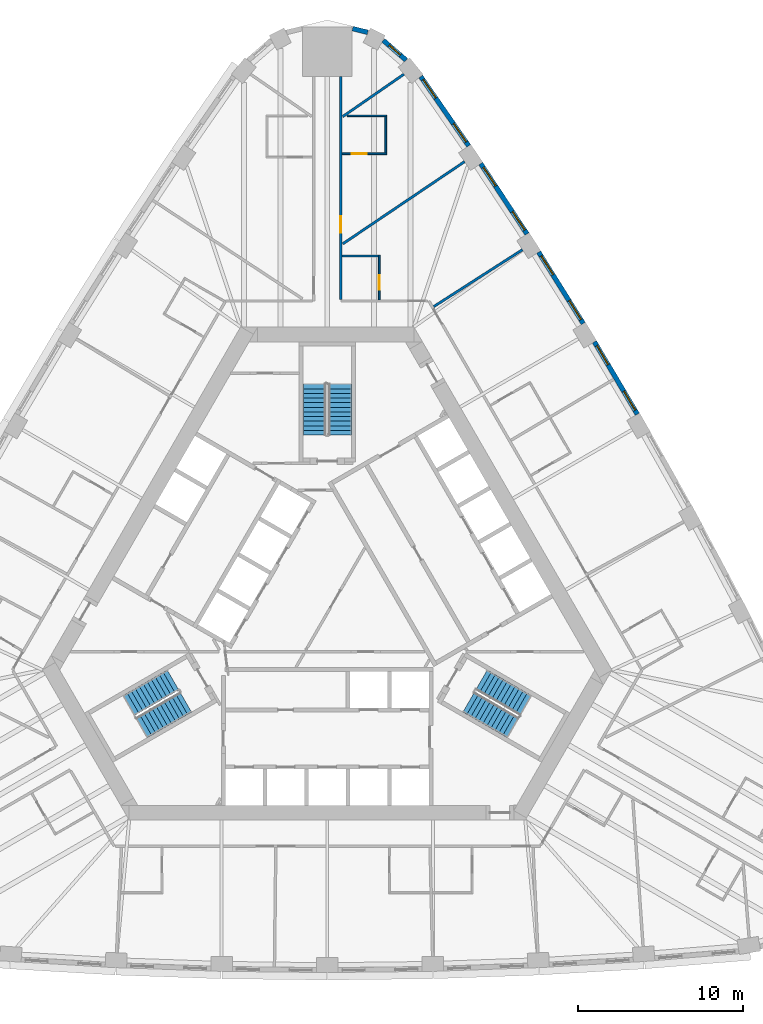
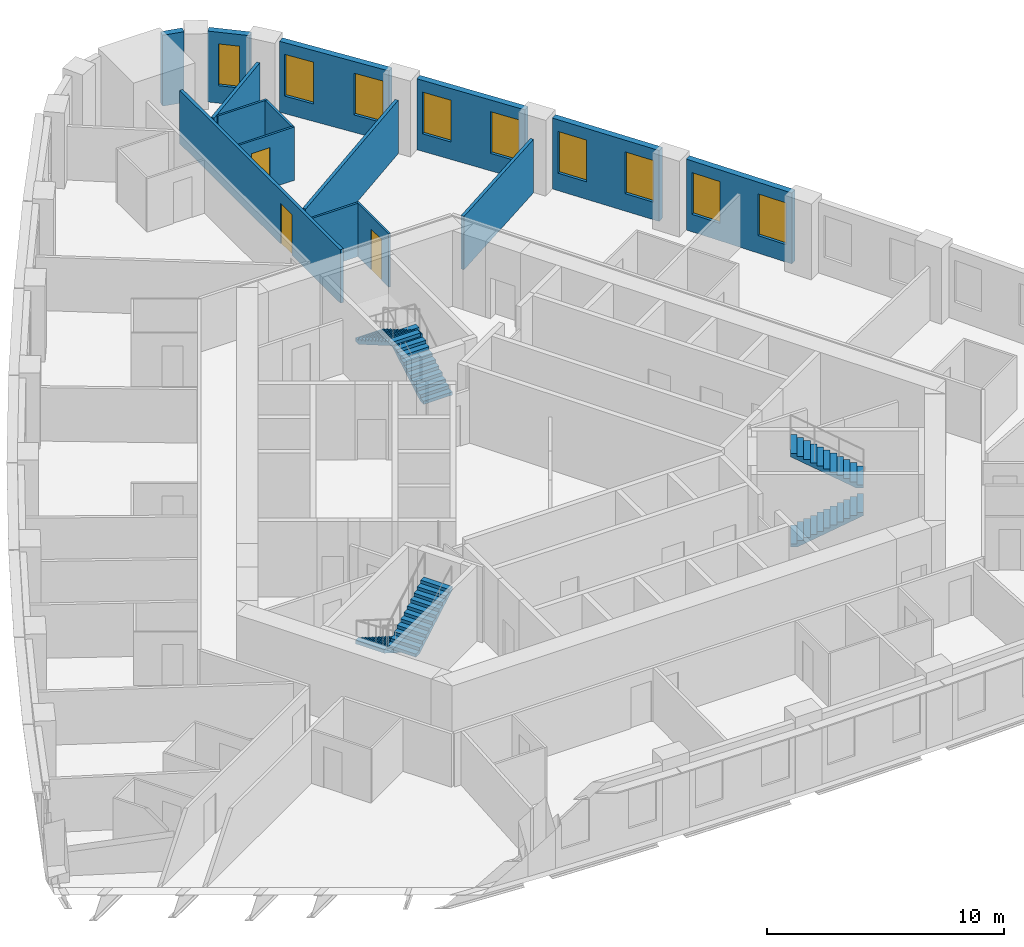
# One storey, part 11 of 12: 15 walls, 9 windows, 6 stair flights, 3 doors, 12 openings, 3 elements without a shape of their own.
"""IFC4 building model written with IfcOpenShell, lengths in metres."""

from ifc_helpers import new_model, si_unit, direction, frame, frame_2d, origin, place, context, subcontext, project, spatial, polyline, rectangle, outline, extrude, material, layer, layer_set, type_object, element, fill, aggregate, save


model = new_model("IFC4")

# Units and contexts
model_context = context("Model", 3, precision=1e-05, world=origin(), true_north=direction((0.0, 1.0)))
body_context = subcontext(model_context, "Body", "Model", "MODEL_VIEW")
ifc_project = project(units=[si_unit("LENGTHUNIT", "METRE"), si_unit("AREAUNIT", "SQUARE_METRE"), si_unit("VOLUMEUNIT", "CUBIC_METRE"), si_unit("PLANEANGLEUNIT", "RADIAN"), si_unit("MASSUNIT", "GRAM", prefix="KILO")], contexts=[model_context])

# Site, building, storey
site_placement = place(None, origin())
site = spatial("IfcSite", under=ifc_project, at=site_placement, CompositionType="ELEMENT")
building_placement = place(site_placement, origin())
building = spatial("IfcBuilding", under=site, at=building_placement, Name="Mestral Congress Tower", CompositionType="ELEMENT")
storey_placement = place(building_placement, frame((0.0, 0.0, 126.60009765625)))
storey = spatial("IfcBuildingStorey", under=building, at=storey_placement, Name="L30", CompositionType="ELEMENT", Elevation=126.60009765625)

# Wall, openings, windows
ifc_material_1 = material(Name="Precast concrete C40/50 with limestone facing", Category="masonry")
ifc_layer_1 = layer(ifc_material_1, 0.2900390625)
ifc_layer_set_1 = layer_set([ifc_layer_1], Name="Precast concrete C40/50 with limestone facing")
wall_type_1 = type_object("IfcWallType", Name="Facade stone wall 290", PredefinedType="SOLIDWALL", material=ifc_layer_set_1)
wall_1_placement = place(storey_placement, frame((18.8046875, 11.611083984375, 0.0), z_axis=(0.0, 0.0, 1.0), x_axis=(-0.510054281659, 0.860142214847, 0.0)))
wall_1 = element("IfcWall", 1, at=wall_1_placement, inside=storey, type_object=wall_type_1, Name="Facade wall F1-04", PredefinedType="SOLIDWALL", context=body_context, shape_type="SweptSolid", body=[
    extrude(rectangle(XDim=5.1005859375, YDim=0.2900390625, at=frame_2d((2.55029296875, 0.0))), origin(), (0.0, 0.0, 1.0), 3.64990234375),
])
opening_1_placement = place(wall_1_placement, frame((0.272705078125, 0.0, 0.89990234375)))
opening_1 = element("IfcOpeningElement", 2, at=opening_1_placement, cuts=wall_1, Name="Opening W2", PredefinedType="OPENING", context=body_context, shape_type="SweptSolid", body=[
    extrude(rectangle(XDim=1.35009765625, YDim=2.14990234375, at=frame_2d((0.675048828125, 1.074951171875))), frame((0.0, 0.155029296875, 0.0), z_axis=(0.0, -1.0, 0.0), x_axis=(1.0, 0.0, 0.0)), (0.0, 0.0, 1.0), 0.31005859375),
])
opening_2_placement = place(wall_1_placement, frame((3.477783203125, 0.0, 0.89990234375)))
opening_2 = element("IfcOpeningElement", 3, at=opening_2_placement, cuts=wall_1, Name="Opening W2", PredefinedType="OPENING", context=body_context, shape_type="SweptSolid", body=[
    extrude(rectangle(XDim=1.35009765625, YDim=2.14990234375, at=frame_2d((0.675048828125, 1.074951171875))), frame((0.0, 0.155029296875, 0.0), z_axis=(0.0, -1.0, 0.0), x_axis=(1.0, 0.0, 0.0)), (0.0, 0.0, 1.0), 0.31005859375),
])
ifc_material_2 = material(Name="Clear low-emissivity double glazing", Category="glass")
window_type_1 = type_object("IfcWindowType", Name="Facade punched window 1350 x 2150 sill 900", PartitioningType="DOUBLE_PANEL_VERTICAL", PredefinedType="WINDOW", material=ifc_material_2)
window_1_placement = place(opening_1_placement, origin())
window_1 = element("IfcWindow", 4, at=window_1_placement, inside=storey, type_object=window_type_1, Name="Window F1-04a", OverallHeight=2.14990234375, OverallWidth=1.35009765625, PartitioningType="DOUBLE_PANEL_VERTICAL", PredefinedType="WINDOW", context=body_context, shape_type="SweptSolid", body=[
    extrude(rectangle(XDim=1.35009765625, YDim=2.14990234375, at=frame_2d((0.675048828125, 1.074951171875))), frame((0.0, 0.01513671875, 0.0), z_axis=(0.0, -1.0, 0.0), x_axis=(1.0, 0.0, 0.0)), (0.0, 0.0, 1.0), 0.06005859375),
])
fill(opening_1, window_1)
window_2_placement = place(opening_2_placement, origin())
window_2 = element("IfcWindow", 5, at=window_2_placement, inside=storey, type_object=window_type_1, Name="Window F1-04b", OverallHeight=2.14990234375, OverallWidth=1.35009765625, PartitioningType="DOUBLE_PANEL_VERTICAL", PredefinedType="WINDOW", context=body_context, shape_type="SweptSolid", body=[
    extrude(rectangle(XDim=1.35009765625, YDim=2.14990234375, at=frame_2d((0.675048828125, 1.074951171875))), frame((0.0, 0.01513671875, 0.0), z_axis=(0.0, -1.0, 0.0), x_axis=(1.0, 0.0, 0.0)), (0.0, 0.0, 1.0), 0.06005859375),
])
fill(opening_2, window_2)

wall_2_placement = place(storey_placement, frame((15.523681640625, 17.114013671875, 0.0), z_axis=(0.0, 0.0, 1.0), x_axis=(-0.530072082134, 0.847952585787, 0.0)))
wall_2 = element("IfcWall", 6, at=wall_2_placement, inside=storey, type_object=wall_type_1, Name="Facade wall F1-05", PredefinedType="SOLIDWALL", context=body_context, shape_type="SweptSolid", body=[
    extrude(rectangle(XDim=5.100341796875, YDim=0.2900390625, at=frame_2d((2.55029296875, 0.0))), origin(), (0.0, 0.0, 1.0), 3.64990234375),
])
opening_3_placement = place(wall_2_placement, frame((0.272705078125, 0.0, 0.89990234375)))
opening_3 = element("IfcOpeningElement", 7, at=opening_3_placement, cuts=wall_2, Name="Opening W2", PredefinedType="OPENING", context=body_context, shape_type="SweptSolid", body=[
    extrude(rectangle(XDim=1.35009765625, YDim=2.14990234375, at=frame_2d((0.675048828125, 1.074951171875))), frame((0.0, 0.155029296875, 0.0), z_axis=(0.0, -1.0, 0.0), x_axis=(1.0, 0.0, 0.0)), (0.0, 0.0, 1.0), 0.31005859375),
])
opening_4_placement = place(wall_2_placement, frame((3.477783203125, 0.0, 0.89990234375)))
opening_4 = element("IfcOpeningElement", 8, at=opening_4_placement, cuts=wall_2, Name="Opening W2", PredefinedType="OPENING", context=body_context, shape_type="SweptSolid", body=[
    extrude(rectangle(XDim=1.35009765625, YDim=2.14990234375, at=frame_2d((0.675048828125, 1.074951171875))), frame((0.0, 0.155029296875, 0.0), z_axis=(0.0, -1.0, 0.0), x_axis=(1.0, 0.0, 0.0)), (0.0, 0.0, 1.0), 0.31005859375),
])
window_3_placement = place(opening_3_placement, origin())
window_3 = element("IfcWindow", 9, at=window_3_placement, inside=storey, type_object=window_type_1, Name="Window F1-05a", OverallHeight=2.14990234375, OverallWidth=1.35009765625, PartitioningType="DOUBLE_PANEL_VERTICAL", PredefinedType="WINDOW", context=body_context, shape_type="SweptSolid", body=[
    extrude(rectangle(XDim=1.35009765625, YDim=2.14990234375, at=frame_2d((0.675048828125, 1.074951171875))), frame((0.0, 0.01513671875, 0.0), z_axis=(0.0, -1.0, 0.0), x_axis=(1.0, 0.0, 0.0)), (0.0, 0.0, 1.0), 0.06005859375),
])
fill(opening_3, window_3)
window_4_placement = place(opening_4_placement, origin())
window_4 = element("IfcWindow", 10, at=window_4_placement, inside=storey, type_object=window_type_1, Name="Window F1-05b", OverallHeight=2.14990234375, OverallWidth=1.35009765625, PartitioningType="DOUBLE_PANEL_VERTICAL", PredefinedType="WINDOW", context=body_context, shape_type="SweptSolid", body=[
    extrude(rectangle(XDim=1.35009765625, YDim=2.14990234375, at=frame_2d((0.675048828125, 1.074951171875))), frame((0.0, 0.01513671875, 0.0), z_axis=(0.0, -1.0, 0.0), x_axis=(1.0, 0.0, 0.0)), (0.0, 0.0, 1.0), 0.06005859375),
])
fill(opening_4, window_4)

wall_3_placement = place(storey_placement, frame((12.114501953125, 22.538818359375, 0.0), z_axis=(0.0, 0.0, 1.0), x_axis=(-0.549741341923, 0.835334937005, 0.0)))
wall_3 = element("IfcWall", 11, at=wall_3_placement, inside=storey, type_object=wall_type_1, Name="Facade wall F1-06", PredefinedType="SOLIDWALL", context=body_context, shape_type="SweptSolid", body=[
    extrude(rectangle(XDim=5.10009765625, YDim=0.2900390625, at=frame_2d((2.550048828125, 0.0))), origin(), (0.0, 0.0, 1.0), 3.64990234375),
])
opening_5_placement = place(wall_3_placement, frame((0.272705078125, 0.0, 0.89990234375)))
opening_5 = element("IfcOpeningElement", 12, at=opening_5_placement, cuts=wall_3, Name="Opening W2", PredefinedType="OPENING", context=body_context, shape_type="SweptSolid", body=[
    extrude(rectangle(XDim=1.35009765625, YDim=2.14990234375, at=frame_2d((0.675048828125, 1.074951171875))), frame((0.0, 0.155029296875, 0.0), z_axis=(0.0, -1.0, 0.0), x_axis=(1.0, 0.0, 0.0)), (0.0, 0.0, 1.0), 0.31005859375),
])
opening_6_placement = place(wall_3_placement, frame((3.477783203125, 0.0, 0.89990234375)))
opening_6 = element("IfcOpeningElement", 13, at=opening_6_placement, cuts=wall_3, Name="Opening W2", PredefinedType="OPENING", context=body_context, shape_type="SweptSolid", body=[
    extrude(rectangle(XDim=1.35009765625, YDim=2.14990234375, at=frame_2d((0.675048828125, 1.074951171875))), frame((0.0, 0.155029296875, 0.0), z_axis=(0.0, -1.0, 0.0), x_axis=(1.0, 0.0, 0.0)), (0.0, 0.0, 1.0), 0.31005859375),
])
window_5_placement = place(opening_5_placement, origin())
window_5 = element("IfcWindow", 14, at=window_5_placement, inside=storey, type_object=window_type_1, Name="Window F1-06a", OverallHeight=2.14990234375, OverallWidth=1.35009765625, PartitioningType="DOUBLE_PANEL_VERTICAL", PredefinedType="WINDOW", context=body_context, shape_type="SweptSolid", body=[
    extrude(rectangle(XDim=1.35009765625, YDim=2.14990234375, at=frame_2d((0.675048828125, 1.074951171875))), frame((0.0, 0.01513671875, 0.0), z_axis=(0.0, -1.0, 0.0), x_axis=(1.0, 0.0, 0.0)), (0.0, 0.0, 1.0), 0.06005859375),
])
fill(opening_5, window_5)
window_6_placement = place(opening_6_placement, origin())
window_6 = element("IfcWindow", 15, at=window_6_placement, inside=storey, type_object=window_type_1, Name="Window F1-06b", OverallHeight=2.14990234375, OverallWidth=1.35009765625, PartitioningType="DOUBLE_PANEL_VERTICAL", PredefinedType="WINDOW", context=body_context, shape_type="SweptSolid", body=[
    extrude(rectangle(XDim=1.35009765625, YDim=2.14990234375, at=frame_2d((0.675048828125, 1.074951171875))), frame((0.0, 0.01513671875, 0.0), z_axis=(0.0, -1.0, 0.0), x_axis=(1.0, 0.0, 0.0)), (0.0, 0.0, 1.0), 0.06005859375),
])
fill(opening_6, window_6)

wall_4_placement = place(storey_placement, frame((8.57958984375, 27.882080078125, 0.0), z_axis=(0.0, 0.0, 1.0), x_axis=(-0.569113019126, 0.822259309136, 0.0)))
wall_4 = element("IfcWall", 16, at=wall_4_placement, inside=storey, type_object=wall_type_1, Name="Facade wall F1-07", PredefinedType="SOLIDWALL", context=body_context, shape_type="SweptSolid", body=[
    extrude(rectangle(XDim=5.106689453125, YDim=0.2900390625, at=frame_2d((2.55322265625, 0.0))), origin(), (0.0, 0.0, 1.0), 3.64990234375),
])
opening_7_placement = place(wall_4_placement, frame((0.285400390625, 0.0, 0.89990234375)))
opening_7 = element("IfcOpeningElement", 17, at=opening_7_placement, cuts=wall_4, Name="Opening W2", PredefinedType="OPENING", context=body_context, shape_type="SweptSolid", body=[
    extrude(rectangle(XDim=1.35009765625, YDim=2.14990234375, at=frame_2d((0.675048828125, 1.074951171875))), frame((0.0, 0.155029296875, 0.0), z_axis=(0.0, -1.0, 0.0), x_axis=(1.0, 0.0, 0.0)), (0.0, 0.0, 1.0), 0.31005859375),
])
opening_8_placement = place(wall_4_placement, frame((3.516357421875, 0.0, 0.89990234375)))
opening_8 = element("IfcOpeningElement", 18, at=opening_8_placement, cuts=wall_4, Name="Opening W2", PredefinedType="OPENING", context=body_context, shape_type="SweptSolid", body=[
    extrude(rectangle(XDim=1.35009765625, YDim=2.14990234375, at=frame_2d((0.675048828125, 1.074951171875))), frame((0.0, 0.155029296875, 0.0), z_axis=(0.0, -1.0, 0.0), x_axis=(1.0, 0.0, 0.0)), (0.0, 0.0, 1.0), 0.31005859375),
])
window_7_placement = place(opening_7_placement, origin())
window_7 = element("IfcWindow", 19, at=window_7_placement, inside=storey, type_object=window_type_1, Name="Window F1-07a", OverallHeight=2.14990234375, OverallWidth=1.35009765625, PartitioningType="DOUBLE_PANEL_VERTICAL", PredefinedType="WINDOW", context=body_context, shape_type="SweptSolid", body=[
    extrude(rectangle(XDim=1.35009765625, YDim=2.14990234375, at=frame_2d((0.675048828125, 1.074951171875))), frame((0.0, 0.01513671875, 0.0), z_axis=(0.0, -1.0, 0.0), x_axis=(1.0, 0.0, 0.0)), (0.0, 0.0, 1.0), 0.06005859375),
])
fill(opening_7, window_7)
window_8_placement = place(opening_8_placement, origin())
window_8 = element("IfcWindow", 20, at=window_8_placement, inside=storey, type_object=window_type_1, Name="Window F1-07b", OverallHeight=2.14990234375, OverallWidth=1.35009765625, PartitioningType="DOUBLE_PANEL_VERTICAL", PredefinedType="WINDOW", context=body_context, shape_type="SweptSolid", body=[
    extrude(rectangle(XDim=1.35009765625, YDim=2.14990234375, at=frame_2d((0.675048828125, 1.074951171875))), frame((0.0, 0.01513671875, 0.0), z_axis=(0.0, -1.0, 0.0), x_axis=(1.0, 0.0, 0.0)), (0.0, 0.0, 1.0), 0.06005859375),
])
fill(opening_8, window_8)

# Wall, opening, window
wall_5_placement = place(storey_placement, frame((4.778076171875, 33.08203125, 0.0), z_axis=(0.0, 0.0, 1.0), x_axis=(-0.754882764627, 0.655859749999, 0.0)))
wall_5 = element("IfcWall", 21, at=wall_5_placement, inside=storey, type_object=wall_type_1, Name="Facade wall K1-0", PredefinedType="SOLIDWALL", context=body_context, shape_type="SweptSolid", body=[
    extrude(rectangle(XDim=1.819580078125, YDim=0.2900390625, at=frame_2d((0.90966796875, 0.0))), origin(), (0.0, 0.0, 1.0), 3.64990234375),
])
opening_9_placement = place(wall_5_placement, frame((0.459716796875, 0.0, 0.89990234375)))
opening_9 = element("IfcOpeningElement", 22, at=opening_9_placement, cuts=wall_5, Name="Opening W3", PredefinedType="OPENING", context=body_context, shape_type="SweptSolid", body=[
    extrude(rectangle(XDim=0.89990234375, YDim=2.14990234375, at=frame_2d((0.449951171875, 1.074951171875))), frame((0.0, 0.155029296875, 0.0), z_axis=(0.0, -1.0, 0.0), x_axis=(1.0, 0.0, 0.0)), (0.0, 0.0, 1.0), 0.31005859375),
])
window_type_2 = type_object("IfcWindowType", Name="Facade punched window 900 x 2150 sill 900", PartitioningType="SINGLE_PANEL", PredefinedType="WINDOW", material=ifc_material_2)
window_9_placement = place(opening_9_placement, origin())
window_9 = element("IfcWindow", 23, at=window_9_placement, inside=storey, type_object=window_type_2, Name="Window K1-0", OverallHeight=2.14990234375, OverallWidth=0.89990234375, PartitioningType="SINGLE_PANEL", PredefinedType="WINDOW", context=body_context, shape_type="SweptSolid", body=[
    extrude(rectangle(XDim=0.89990234375, YDim=2.14990234375, at=frame_2d((0.449951171875, 1.074951171875))), frame((0.0, 0.01513671875, 0.0), z_axis=(0.0, -1.0, 0.0), x_axis=(1.0, 0.0, 0.0)), (0.0, 0.0, 1.0), 0.06005859375),
])
fill(opening_9, window_9)

# Wall
wall_6_placement = place(storey_placement, frame((2.455322265625, 34.765625, 0.0), z_axis=(0.0, 0.0, 1.0), x_axis=(-0.971713991574, 0.236160789674, 0.0)))
element("IfcWall", 24, at=wall_6_placement, inside=storey, type_object=wall_type_1, Name="Facade wall K1-1", PredefinedType="SOLIDWALL", context=body_context, shape_type="SweptSolid", body=[
    extrude(rectangle(XDim=0.947021484375, YDim=0.2900390625, at=frame_2d((0.4736328125, 0.0))), origin(), (0.0, 0.0, 1.0), 3.64990234375),
])

# Wall, opening, door
ifc_material_3 = material(Name="Gypsum board partition on metal studs with mineral wool", Category="composite")
ifc_layer_2 = layer(ifc_material_3, 0.10009765625)
ifc_layer_set_2 = layer_set([ifc_layer_2], Name="Gypsum board partition on metal studs with mineral wool")
wall_type_2 = type_object("IfcWallType", Name="Hotel partition wall 100", PredefinedType="PARTITIONING", material=ifc_layer_set_2)
wall_7_placement = place(storey_placement, frame((3.15087890625, 18.550048828125, 0.0), z_axis=(0.0, 0.0, 1.0), x_axis=(0.0, 1.0, 0.0)))
wall_7 = element("IfcWall", 25, at=wall_7_placement, inside=storey, type_object=wall_type_2, Name="L30-h-pod11a", PredefinedType="PARTITIONING", context=body_context, shape_type="SweptSolid", body=[
    extrude(rectangle(XDim=2.699951171875, YDim=0.10009765625, at=frame_2d((1.35009765625, 0.0))), origin(), (0.0, 0.0, 1.0), 2.75),
])
opening_10_placement = place(wall_7_placement, frame((0.60009765625, 0.0, 0.0)))
opening_10 = element("IfcOpeningElement", 26, at=opening_10_placement, cuts=wall_7, Name="Opening H09-022", PredefinedType="OPENING", context=body_context, shape_type="SweptSolid", body=[
    extrude(rectangle(XDim=0.89990234375, YDim=2.10009765625, at=frame_2d((0.449951171875, 1.050048828125))), frame((0.0, 0.06005859375, 0.0), z_axis=(0.0, -1.0, 0.0), x_axis=(1.0, 0.0, 0.0)), (0.0, 0.0, 1.0), 0.1201171875),
])
ifc_material_4 = material(Name="Timber veneer door leaf in timber frame", Category="wood")
door_type_1 = type_object("IfcDoorType", Name="Bathroom door 900", OperationType="SINGLE_SWING_LEFT", PredefinedType="DOOR", material=ifc_material_4)
door_1_placement = place(opening_10_placement, origin())
door_1 = element("IfcDoor", 27, at=door_1_placement, inside=storey, type_object=door_type_1, Name="L30-h-d022", OperationType="SINGLE_SWING_LEFT", OverallHeight=2.10009765625, OverallWidth=0.89990234375, PredefinedType="DOOR", context=body_context, shape_type="SweptSolid", body=[
    extrude(rectangle(XDim=0.89990234375, YDim=2.10009765625, at=frame_2d((0.449951171875, 1.050048828125))), frame((0.0, 0.02490234375, 0.0), z_axis=(0.0, -1.0, 0.0), x_axis=(1.0, 0.0, 0.0)), (0.0, 0.0, 1.0), 0.050048828125),
])
fill(opening_10, door_1)

# Wall
wall_8_placement = place(storey_placement, frame((3.10107421875, 21.199951171875, 0.0), z_axis=(0.0, 0.0, 1.0), x_axis=(-1.0, 0.0, 0.0)))
element("IfcWall", 28, at=wall_8_placement, inside=storey, type_object=wall_type_2, Name="L30-h-pod11b", PredefinedType="PARTITIONING", context=body_context, shape_type="SweptSolid", body=[
    extrude(rectangle(XDim=2.2001953125, YDim=0.10009765625, at=frame_2d((1.10009765625, 0.0))), origin(), (0.0, 0.0, 1.0), 2.75),
])

# Wall, opening, door
wall_9_placement = place(storey_placement, frame((0.89990234375, 27.39794921875, 0.0), z_axis=(0.0, 0.0, 1.0), x_axis=(1.0, 0.0, 0.0)))
wall_9 = element("IfcWall", 29, at=wall_9_placement, inside=storey, type_object=wall_type_2, Name="L30-h-pod12a", PredefinedType="PARTITIONING", context=body_context, shape_type="SweptSolid", body=[
    extrude(rectangle(XDim=2.7001953125, YDim=0.10009765625, at=frame_2d((1.35009765625, 0.0))), origin(), (0.0, 0.0, 1.0), 2.75),
])
opening_11_placement = place(wall_9_placement, frame((0.60009765625, 0.0, 0.0)))
opening_11 = element("IfcOpeningElement", 30, at=opening_11_placement, cuts=wall_9, Name="Opening H09-024", PredefinedType="OPENING", context=body_context, shape_type="SweptSolid", body=[
    extrude(rectangle(XDim=0.89990234375, YDim=2.10009765625, at=frame_2d((0.449951171875, 1.050048828125))), frame((0.0, 0.06005859375, 0.0), z_axis=(0.0, -1.0, 0.0), x_axis=(1.0, 0.0, 0.0)), (0.0, 0.0, 1.0), 0.1201171875),
])
door_2_placement = place(opening_11_placement, origin())
door_2 = element("IfcDoor", 31, at=door_2_placement, inside=storey, type_object=door_type_1, Name="L30-h-d024", OperationType="SINGLE_SWING_RIGHT", OverallHeight=2.10009765625, OverallWidth=0.89990234375, PredefinedType="DOOR", context=body_context, shape_type="SweptSolid", body=[
    extrude(rectangle(XDim=0.89990234375, YDim=2.10009765625, at=frame_2d((0.449951171875, 1.050048828125))), frame((0.0, 0.02490234375, 0.0), z_axis=(0.0, -1.0, 0.0), x_axis=(1.0, 0.0, 0.0)), (0.0, 0.0, 1.0), 0.050048828125),
])
fill(opening_11, door_2)

# Walls
wall_10_placement = place(storey_placement, frame((3.550048828125, 27.447998046875, 0.0), z_axis=(0.0, 0.0, 1.0), x_axis=(0.0, 1.0, 0.0)))
element("IfcWall", 32, at=wall_10_placement, inside=storey, type_object=wall_type_2, Name="L30-h-pod12b", PredefinedType="PARTITIONING", context=body_context, shape_type="SweptSolid", body=[
    extrude(rectangle(XDim=2.199951171875, YDim=0.10009765625, at=frame_2d((1.10009765625, 0.0))), origin(), (0.0, 0.0, 1.0), 2.75),
])
wall_11_placement = place(storey_placement, frame((1.199951171875, 29.697998046875, 0.0), z_axis=(0.0, 0.0, 1.0), x_axis=(1.0, 0.0, 0.0)))
element("IfcWall", 33, at=wall_11_placement, inside=storey, type_object=wall_type_2, Name="L30-h-pod12c", PredefinedType="PARTITIONING", context=body_context, shape_type="SweptSolid", body=[
    extrude(rectangle(XDim=2.400146484375, YDim=0.10009765625, at=frame_2d((1.2001953125, 0.0))), origin(), (0.0, 0.0, 1.0), 2.75),
])

# Wall, opening, door
ifc_layer_3 = layer(ifc_material_3, 0.14990234375)
ifc_layer_set_3 = layer_set([ifc_layer_3], Name="Gypsum board partition on metal studs with mineral wool")
wall_type_3 = type_object("IfcWallType", Name="Hotel partition wall 150", PredefinedType="PARTITIONING", material=ifc_layer_set_3)
wall_12_placement = place(storey_placement, frame((0.824951171875, 32.098388671875, 0.0), z_axis=(0.0, 0.0, 1.0), x_axis=(0.0, -1.0, 0.0)))
wall_12 = element("IfcWall", 34, at=wall_12_placement, inside=storey, type_object=wall_type_3, Name="L30-h-cw05", PredefinedType="PARTITIONING", context=body_context, shape_type="SweptSolid", body=[
    extrude(rectangle(XDim=13.54345703125, YDim=0.14990234375, at=frame_2d((6.771728515625, 0.0))), origin(), (0.0, 0.0, 1.0), 2.75),
])
opening_12_placement = place(wall_12_placement, frame((8.490234375, 0.0, 0.0)))
opening_12 = element("IfcOpeningElement", 35, at=opening_12_placement, cuts=wall_12, Name="Opening H09-023", PredefinedType="OPENING", context=body_context, shape_type="SweptSolid", body=[
    extrude(rectangle(XDim=1.0, YDim=2.10009765625, at=frame_2d((0.5, 1.050048828125))), frame((0.0, 0.0849609375, 0.0), z_axis=(0.0, -1.0, 0.0), x_axis=(1.0, 0.0, 0.0)), (0.0, 0.0, 1.0), 0.169921875),
])
ifc_material_5 = material(Name="Timber veneer door leaf in metal frame", Category="wood")
door_type_2 = type_object("IfcDoorType", Name="Guest room entrance door 1000", OperationType="SINGLE_SWING_LEFT", PredefinedType="DOOR", material=ifc_material_5)
door_3_placement = place(opening_12_placement, origin())
door_3 = element("IfcDoor", 36, at=door_3_placement, inside=storey, type_object=door_type_2, Name="L30-h-d023", OperationType="SINGLE_SWING_RIGHT", OverallHeight=2.10009765625, OverallWidth=1.0, PredefinedType="DOOR", context=body_context, shape_type="SweptSolid", body=[
    extrude(rectangle(XDim=1.0, YDim=2.10009765625, at=frame_2d((0.5, 1.050048828125))), frame((0.0, 0.02490234375, 0.0), z_axis=(0.0, -1.0, 0.0), x_axis=(1.0, 0.0, 0.0)), (0.0, 0.0, 1.0), 0.050048828125),
])
fill(opening_12, door_3)

# Walls
wall_13_placement = place(storey_placement, frame((8.32568359375, 26.922607421875, 0.0), z_axis=(0.0, 0.0, 1.0), x_axis=(-0.828836601893, -0.5594907393, 0.0)))
element("IfcWall", 37, at=wall_13_placement, inside=storey, type_object=wall_type_3, Name="L30-h-pw12", PredefinedType="PARTITIONING", context=body_context, shape_type="SweptSolid", body=[
    extrude(rectangle(XDim=8.9091796875, YDim=0.14990234375, at=frame_2d((4.45458984375, 0.0))), origin(), (0.0, 0.0, 1.0), 2.75),
])
wall_14_placement = place(storey_placement, frame((4.649169921875, 32.223388671875, 0.0), z_axis=(0.0, 0.0, 1.0), x_axis=(-0.822262349475, -0.569108626394, 0.0)))
element("IfcWall", 38, at=wall_14_placement, inside=storey, type_object=wall_type_3, Name="L30-h-pw13", PredefinedType="PARTITIONING", context=body_context, shape_type="SweptSolid", body=[
    extrude(rectangle(XDim=4.509521484375, YDim=0.14990234375, at=frame_2d((2.2548828125, 0.0))), origin(), (0.0, 0.0, 1.0), 2.75),
])
wall_15_placement = place(storey_placement, frame((11.838134765625, 21.585205078125, 0.0), z_axis=(0.0, 0.0, 1.0), x_axis=(-0.841699322813, -0.539946525108, 0.0)))
element("IfcWall", 39, at=wall_15_placement, inside=storey, type_object=wall_type_3, Name="L30-h-pw15", PredefinedType="PARTITIONING", context=body_context, shape_type="SweptSolid", body=[
    extrude(rectangle(XDim=6.3916015625, YDim=0.14990234375, at=frame_2d((3.19580078125, 0.0))), origin(), (0.0, 0.0, 1.0), 2.75),
])

# Stair, stair flights
ifc_material_6 = material(Name="Concrete C60/75", Category="concrete")
stair_type = type_object("IfcStairType", Name="Exit stair 1400", PredefinedType="HALF_TURN_STAIR", material=ifc_material_6)
placement = place(storey_placement, origin())
stair_1 = element("IfcStair", 40, at=placement, inside=storey, type_object=stair_type, Name="L30 ST1", PredefinedType="HALF_TURN_STAIR")
stair_flight_type = type_object("IfcStairFlightType", Name="Exit stair flight 1400", PredefinedType="STRAIGHT", material=ifc_material_6)
stair_flight_1_placement = place(storey_placement, frame((8.575927734375, -5.84619140625, 0.0), z_axis=(0.0, 0.0, 1.0), x_axis=(0.866025403784, -0.5, 0.0)))
stair_flight_1 = element("IfcStairFlight", 41, at=stair_flight_1_placement, type_object=stair_flight_type, Name="ST1 flight 1", NumberOfRisers=12, NumberOfTreads=11, PredefinedType="STRAIGHT", RiserHeight=0.1625, TreadLength=0.28, context=body_context, shape_type="SweptSolid", body=[
    extrude(outline(polyline([(0.0, 0.0), (0.0, 0.16259765625), (0.280029296875, 0.16259765625), (0.280029296875, 0.324951171875), (0.56005859375, 0.324951171875), (0.56005859375, 0.487548828125), (0.840087890625, 0.487548828125), (0.840087890625, 0.64990234375), (1.1201171875, 0.64990234375), (1.1201171875, 0.8125), (1.39990234375, 0.8125), (1.39990234375, 0.97509765625), (1.679931640625, 0.97509765625), (1.679931640625, 1.137451171875), (1.9599609375, 1.137451171875), (1.9599609375, 1.300048828125), (2.239990234375, 1.300048828125), (2.239990234375, 1.46240234375), (2.52001953125, 1.46240234375), (2.52001953125, 1.625), (2.800048828125, 1.625), (2.800048828125, 1.78759765625), (3.080078125, 1.78759765625), (3.080078125, 1.949951171875), (3.080078125, 1.6142578125), (0.298583984375, 0.0), (0.0, 0.0)])), frame((0.0, 0.699951171875, 0.0), z_axis=(0.0, -1.0, 0.0), x_axis=(1.0, 0.0, 0.0)), (0.0, 0.0, 1.0), 1.39990234375),
])
stair_flight_2_placement = place(storey_placement, frame((12.018310546875, -6.0439453125, 1.949951171875), z_axis=(0.0, 0.0, 1.0), x_axis=(-0.866025403784, 0.5, 0.0)))
stair_flight_2 = element("IfcStairFlight", 42, at=stair_flight_2_placement, type_object=stair_flight_type, Name="ST1 flight 2", NumberOfRisers=12, NumberOfTreads=11, PredefinedType="STRAIGHT", RiserHeight=0.1625, TreadLength=0.28, context=body_context, shape_type="SweptSolid", body=[
    extrude(outline(polyline([(0.0, 0.0), (0.0, 0.16259765625), (0.280029296875, 0.16259765625), (0.280029296875, 0.324951171875), (0.56005859375, 0.324951171875), (0.56005859375, 0.487548828125), (0.840087890625, 0.487548828125), (0.840087890625, 0.64990234375), (1.1201171875, 0.64990234375), (1.1201171875, 0.8125), (1.39990234375, 0.8125), (1.39990234375, 0.97509765625), (1.679931640625, 0.97509765625), (1.679931640625, 1.137451171875), (1.9599609375, 1.137451171875), (1.9599609375, 1.300048828125), (2.239990234375, 1.300048828125), (2.239990234375, 1.46240234375), (2.52001953125, 1.46240234375), (2.52001953125, 1.625), (2.800048828125, 1.625), (2.800048828125, 1.78759765625), (3.080078125, 1.78759765625), (3.080078125, 1.949951171875), (3.080078125, 1.6142578125), (0.298583984375, 0.0), (0.0, 0.0)])), frame((0.0, 0.699951171875, 0.0), z_axis=(0.0, -1.0, 0.0), x_axis=(1.0, 0.0, 0.0)), (0.0, 0.0, 1.0), 1.39990234375),
])
aggregate(stair_1, [stair_flight_1, stair_flight_2])

stair_2 = element("IfcStair", 43, at=placement, inside=storey, type_object=stair_type, Name="L30 ST2", PredefinedType="HALF_TURN_STAIR")
stair_flight_3_placement = place(storey_placement, frame((0.77490234375, 10.35009765625, 0.0), z_axis=(0.0, 0.0, 1.0), x_axis=(0.0, 1.0, 0.0)))
stair_flight_3 = element("IfcStairFlight", 44, at=stair_flight_3_placement, type_object=stair_flight_type, Name="ST2 flight 1", NumberOfRisers=12, NumberOfTreads=11, PredefinedType="STRAIGHT", RiserHeight=0.1625, TreadLength=0.28, context=body_context, shape_type="SweptSolid", body=[
    extrude(outline(polyline([(0.0, 0.0), (0.0, 0.16259765625), (0.280029296875, 0.16259765625), (0.280029296875, 0.324951171875), (0.56005859375, 0.324951171875), (0.56005859375, 0.487548828125), (0.840087890625, 0.487548828125), (0.840087890625, 0.64990234375), (1.1201171875, 0.64990234375), (1.1201171875, 0.8125), (1.39990234375, 0.8125), (1.39990234375, 0.97509765625), (1.679931640625, 0.97509765625), (1.679931640625, 1.137451171875), (1.9599609375, 1.137451171875), (1.9599609375, 1.300048828125), (2.239990234375, 1.300048828125), (2.239990234375, 1.46240234375), (2.52001953125, 1.46240234375), (2.52001953125, 1.625), (2.800048828125, 1.625), (2.800048828125, 1.78759765625), (3.080078125, 1.78759765625), (3.080078125, 1.949951171875), (3.080078125, 1.6142578125), (0.298583984375, 0.0), (0.0, 0.0)])), frame((0.0, 0.699951171875, 0.0), z_axis=(0.0, -1.0, 0.0), x_axis=(1.0, 0.0, 0.0)), (0.0, 0.0, 1.0), 1.39990234375),
])
stair_flight_4_placement = place(storey_placement, frame((-0.77490234375, 13.429931640625, 1.949951171875), z_axis=(0.0, 0.0, 1.0), x_axis=(0.0, -1.0, 0.0)))
stair_flight_4 = element("IfcStairFlight", 45, at=stair_flight_4_placement, type_object=stair_flight_type, Name="ST2 flight 2", NumberOfRisers=12, NumberOfTreads=11, PredefinedType="STRAIGHT", RiserHeight=0.1625, TreadLength=0.28, context=body_context, shape_type="SweptSolid", body=[
    extrude(outline(polyline([(0.0, 0.0), (0.0, 0.16259765625), (0.280029296875, 0.16259765625), (0.280029296875, 0.324951171875), (0.56005859375, 0.324951171875), (0.56005859375, 0.487548828125), (0.840087890625, 0.487548828125), (0.840087890625, 0.64990234375), (1.1201171875, 0.64990234375), (1.1201171875, 0.8125), (1.39990234375, 0.8125), (1.39990234375, 0.97509765625), (1.679931640625, 0.97509765625), (1.679931640625, 1.137451171875), (1.9599609375, 1.137451171875), (1.9599609375, 1.300048828125), (2.239990234375, 1.300048828125), (2.239990234375, 1.46240234375), (2.52001953125, 1.46240234375), (2.52001953125, 1.625), (2.800048828125, 1.625), (2.800048828125, 1.78759765625), (3.080078125, 1.78759765625), (3.080078125, 1.949951171875), (3.080078125, 1.6142578125), (0.298583984375, 0.0), (0.0, 0.0)])), frame((0.0, 0.699951171875, 0.0), z_axis=(0.0, -1.0, 0.0), x_axis=(1.0, 0.0, 0.0)), (0.0, 0.0, 1.0), 1.39990234375),
])
aggregate(stair_2, [stair_flight_3, stair_flight_4])

stair_3 = element("IfcStair", 46, at=placement, inside=storey, type_object=stair_type, Name="L30 ST3", PredefinedType="HALF_TURN_STAIR")
stair_flight_5_placement = place(storey_placement, frame((-9.350830078125, -4.50390625, 0.0), z_axis=(0.0, 0.0, 1.0), x_axis=(-0.866025403784, -0.5, 0.0)))
stair_flight_5 = element("IfcStairFlight", 47, at=stair_flight_5_placement, type_object=stair_flight_type, Name="ST3 flight 1", NumberOfRisers=12, NumberOfTreads=11, PredefinedType="STRAIGHT", RiserHeight=0.1625, TreadLength=0.28, context=body_context, shape_type="SweptSolid", body=[
    extrude(outline(polyline([(0.0, 0.0), (0.0, 0.16259765625), (0.280029296875, 0.16259765625), (0.280029296875, 0.324951171875), (0.56005859375, 0.324951171875), (0.56005859375, 0.487548828125), (0.840087890625, 0.487548828125), (0.840087890625, 0.64990234375), (1.1201171875, 0.64990234375), (1.1201171875, 0.8125), (1.39990234375, 0.8125), (1.39990234375, 0.97509765625), (1.679931640625, 0.97509765625), (1.679931640625, 1.137451171875), (1.9599609375, 1.137451171875), (1.9599609375, 1.300048828125), (2.239990234375, 1.300048828125), (2.239990234375, 1.46240234375), (2.52001953125, 1.46240234375), (2.52001953125, 1.625), (2.800048828125, 1.625), (2.800048828125, 1.78759765625), (3.080078125, 1.78759765625), (3.080078125, 1.949951171875), (3.080078125, 1.6142578125), (0.298583984375, 0.0), (0.0, 0.0)])), frame((0.0, 0.699951171875, 0.0), z_axis=(0.0, -1.0, 0.0), x_axis=(1.0, 0.0, 0.0)), (0.0, 0.0, 1.0), 1.39990234375),
])
stair_flight_6_placement = place(storey_placement, frame((-11.2431640625, -7.38623046875, 1.949951171875), z_axis=(0.0, 0.0, 1.0), x_axis=(0.866025403784, 0.5, 0.0)))
stair_flight_6 = element("IfcStairFlight", 48, at=stair_flight_6_placement, type_object=stair_flight_type, Name="ST3 flight 2", NumberOfRisers=12, NumberOfTreads=11, PredefinedType="STRAIGHT", RiserHeight=0.1625, TreadLength=0.28, context=body_context, shape_type="SweptSolid", body=[
    extrude(outline(polyline([(0.0, 0.0), (0.0, 0.16259765625), (0.280029296875, 0.16259765625), (0.280029296875, 0.324951171875), (0.56005859375, 0.324951171875), (0.56005859375, 0.487548828125), (0.840087890625, 0.487548828125), (0.840087890625, 0.64990234375), (1.1201171875, 0.64990234375), (1.1201171875, 0.8125), (1.39990234375, 0.8125), (1.39990234375, 0.97509765625), (1.679931640625, 0.97509765625), (1.679931640625, 1.137451171875), (1.9599609375, 1.137451171875), (1.9599609375, 1.300048828125), (2.239990234375, 1.300048828125), (2.239990234375, 1.46240234375), (2.52001953125, 1.46240234375), (2.52001953125, 1.625), (2.800048828125, 1.625), (2.800048828125, 1.78759765625), (3.080078125, 1.78759765625), (3.080078125, 1.949951171875), (3.080078125, 1.6142578125), (0.298583984375, 0.0), (0.0, 0.0)])), frame((0.0, 0.699951171875, 0.0), z_axis=(0.0, -1.0, 0.0), x_axis=(1.0, 0.0, 0.0)), (0.0, 0.0, 1.0), 1.39990234375),
])
aggregate(stair_3, [stair_flight_5, stair_flight_6])

save(model, "model.ifc")
